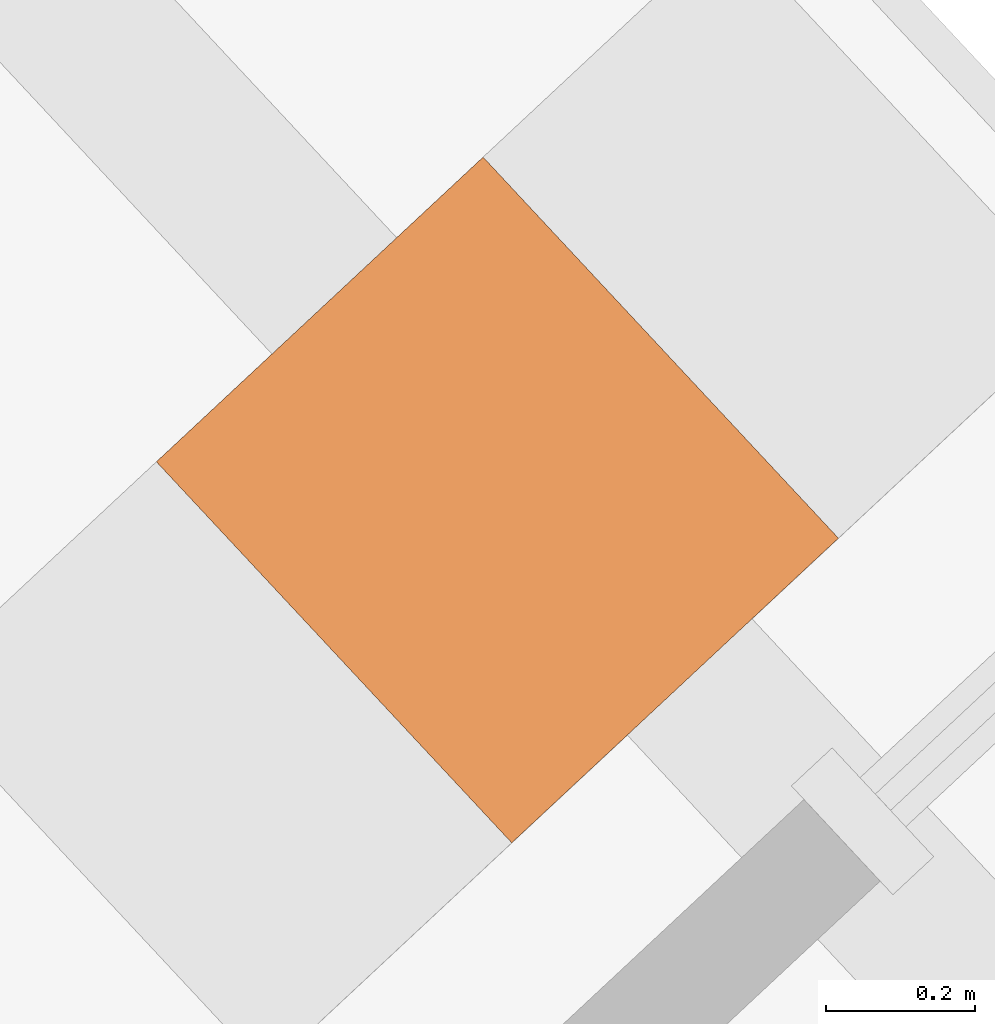
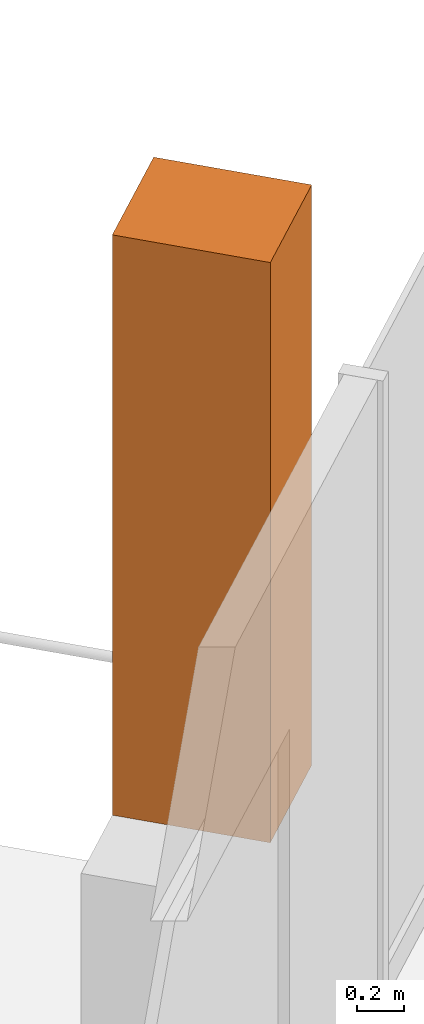
# One storey, part 25 of 25: 1 geographic element.
"""IFC4 building model written with IfcOpenShell, lengths in metres."""

from ifc_helpers import new_model, si_unit, direction, frame, origin, origin_2d, place, context, subcontext, project, spatial, rectangle, extrude, source, transform, mapped, material, type_object, element, save


model = new_model("IFC4")

# Units and contexts
model_context = context("Model", 3, precision=1e-05, world=origin(), true_north=direction((0.0, 1.0)))
body_context = subcontext(model_context, "Body", "Model", "MODEL_VIEW")
ifc_project = project(units=[si_unit("LENGTHUNIT", "METRE"), si_unit("AREAUNIT", "SQUARE_METRE"), si_unit("VOLUMEUNIT", "CUBIC_METRE"), si_unit("PLANEANGLEUNIT", "RADIAN"), si_unit("MASSUNIT", "GRAM", prefix="KILO")], contexts=[model_context])

# Site, building, storey
site_placement = place(None, origin())
site = spatial("IfcSite", under=ifc_project, at=site_placement, CompositionType="ELEMENT")
building_placement = place(site_placement, origin())
building = spatial("IfcBuilding", under=site, at=building_placement, Name="Triune Harvest Tower", CompositionType="ELEMENT")
storey_placement = place(building_placement, frame((0.0, 0.0, 130.699951171875)))
storey = spatial("IfcBuildingStorey", under=building, at=storey_placement, Name="L33", CompositionType="ELEMENT", Elevation=130.699951171875)

# Geographic element
ifc_material = material(Name="TREE-1 tree")
geographic_element_type = type_object("IfcGeographicElementType", Name="TREE-1 tree", PredefinedType="USERDEFINED", material=ifc_material)
shared_shape = source(origin(), body_context, "Body", "SweptSolid", [
    extrude(rectangle(XDim=0.60009765625, YDim=0.699951171875, at=origin_2d()), origin(), (0.0, 0.0, 1.0), 3.0),
])
geographic_element_placement = place(storey_placement, frame((-15.4833984375, 16.564697265625, 1.10009765625), z_axis=(0.0, 0.0, 1.0), x_axis=(-0.73135336394, -0.681998722179, 0.0)))
element("IfcGeographicElement", 1, at=geographic_element_placement, inside=storey, type_object=geographic_element_type, Name="Tree B3-F3 L33.7a", ObjectType="TREE", PredefinedType="USERDEFINED", context=body_context, shape_type="MappedRepresentation", body=[
    mapped(shared_shape, transform((0.0, 0.0, 0.0), scale=1.0)),
])

save(model, "model.ifc")
